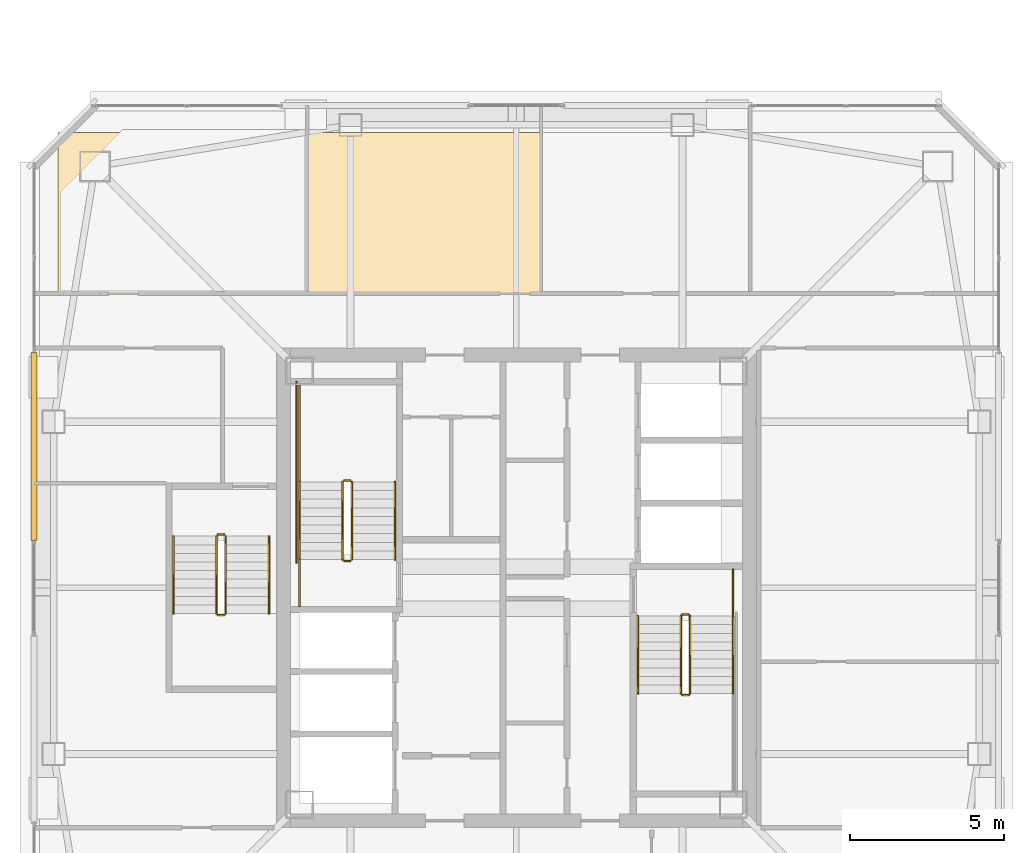
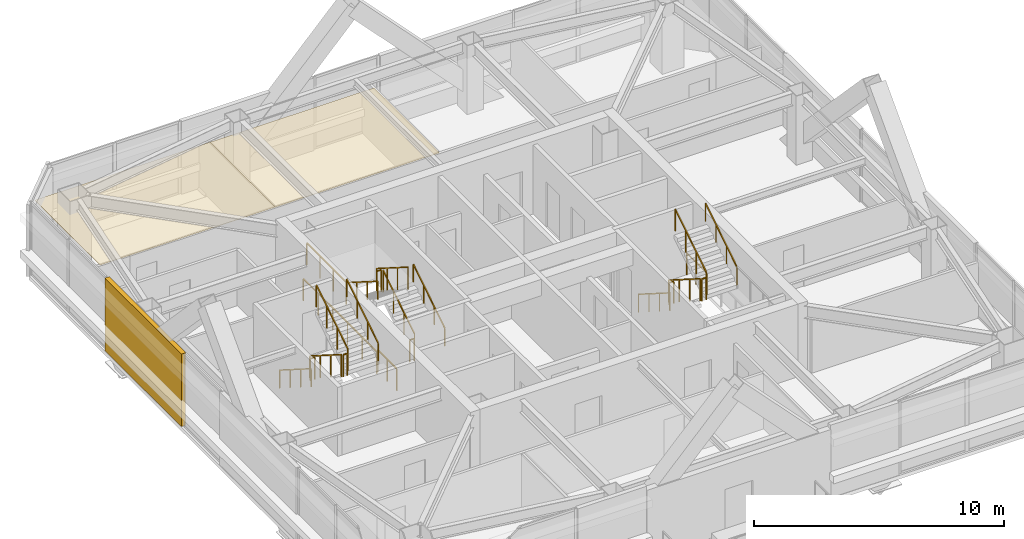
# One storey, part 36 of 39: 22 railings, 3 coverings.
"""IFC4 building model written with IfcOpenShell, lengths in metres."""

from ifc_helpers import new_model, si_unit, direction, frame, origin, origin_2d, place, context, subcontext, project, spatial, polyline, rectangle, outline, extrude, material, layer, layer_set, type_object, element, save


model = new_model("IFC4")

# Units and contexts
model_context = context("Model", 3, precision=1e-05, world=origin(), true_north=direction((0.0, 1.0)))
body_context = subcontext(model_context, "Body", "Model", "MODEL_VIEW")
ifc_project = project(units=[si_unit("LENGTHUNIT", "METRE"), si_unit("AREAUNIT", "SQUARE_METRE"), si_unit("VOLUMEUNIT", "CUBIC_METRE"), si_unit("PLANEANGLEUNIT", "RADIAN"), si_unit("MASSUNIT", "GRAM", prefix="KILO")], contexts=[model_context])

# Site, building, storey
site_placement = place(None, origin())
site = spatial("IfcSite", under=ifc_project, at=site_placement, CompositionType="ELEMENT")
building_placement = place(site_placement, origin())
building = spatial("IfcBuilding", under=site, at=building_placement, Name="Tashvorn Skyway Center", CompositionType="ELEMENT")
storey_placement = place(building_placement, frame((0.0, 0.0, 239.699951171875)))
storey = spatial("IfcBuildingStorey", under=building, at=storey_placement, Name="L65", CompositionType="ELEMENT", Elevation=239.699951171875)

# Coverings
ifc_material_1 = material(Name="Precast concrete C40/50", Category="concrete")
ifc_layer_1 = layer(ifc_material_1, 0.199951171875)
ifc_layer_set_1 = layer_set([ifc_layer_1], Name="Precast concrete C40/50")
covering_type_1 = type_object("IfcCoveringType", Name="COV-BRACE-CLAD", PredefinedType="CLADDING", material=ifc_layer_set_1)
covering_1_placement = place(storey_placement, frame((26.320068359375, 36.59326171875, 0.0), z_axis=(0.0, 0.0, 1.0), x_axis=(0.0, 1.0, 0.0)))
element("IfcCovering", 1, at=covering_1_placement, inside=storey, type_object=covering_type_1, Name="Tower 1 L65 West Unitised Curtain Wall Mega-Brace Cladding Band 2", PredefinedType="CLADDING", context=body_context, shape_type="SweptSolid", body=[
    extrude(rectangle(XDim=6.12451171875, YDim=0.199951171875, at=origin_2d()), origin(), (0.0, 0.0, 1.0), 3.550048828125),
])
ifc_material_2 = material(Name="Mineral-fibre acoustic ceiling tile on suspended grid")
ifc_layer_2 = layer(ifc_material_2, 0.02001953125)
ifc_layer_set_2 = layer_set([ifc_layer_2], Name="Mineral-fibre acoustic ceiling tile on suspended grid")
covering_type_2 = type_object("IfcCoveringType", Name="COV-CEIL-20", PredefinedType="CEILING", material=ifc_layer_set_2)
covering_2_placement = place(storey_placement, frame((0.0, 0.0, 2.703125)))
element("IfcCovering", 2, at=covering_2_placement, inside=storey, type_object=covering_type_2, Name="Tower 1 L65 Gallery Showroom Acoustic Ceiling", PredefinedType="CEILING", context=body_context, shape_type="SweptSolid", body=[
    extrude(outline(polyline([(27.10009765625, 41.570068359375), (35.199951171875, 41.570068359375), (35.199951171875, 46.800048828125), (27.10009765625, 46.800048828125), (27.10009765625, 41.570068359375)])), origin(), (0.0, 0.0, 1.0), 0.02001953125),
])
covering_3_placement = place(storey_placement, frame((0.0, 0.0, 2.703125)))
element("IfcCovering", 3, at=covering_3_placement, inside=storey, type_object=covering_type_2, Name="Tower 1 L65 Gallery Showroom Acoustic Ceiling", PredefinedType="CEILING", context=body_context, shape_type="SweptSolid", body=[
    extrude(outline(polyline([(35.199951171875, 41.570068359375), (42.800048828125, 41.570068359375), (42.800048828125, 46.800048828125), (35.199951171875, 46.800048828125), (35.199951171875, 41.570068359375)])), origin(), (0.0, 0.0, 1.0), 0.02001953125),
])

# Railings
ifc_material_3 = material(Name="Brushed stainless steel 316", Category="steel")
railing_type_1 = type_object("IfcRailingType", Name="RAIL-HAND-920", PredefinedType="HANDRAIL", material=ifc_material_3)
railing_1_placement = place(storey_placement, frame((38.050048828125, 32.919921875, 0.177490234375)))
element("IfcRailing", 4, at=railing_1_placement, inside=storey, type_object=railing_type_1, Name="L65 ST-T1-1 stair handrail 1", PredefinedType="HANDRAIL", context=body_context, shape_type="SweptSolid", body=[
    extrude(rectangle(XDim=0.048095703125, YDim=0.048095703125, at=origin_2d()), frame((0.0, 0.0, 0.8759765625), z_axis=(0.0, 0.84456994832, 0.535445237532), x_axis=(-1.0, 0.0, 0.0)), (0.0, 0.0, 1.0), 2.98388671875),
    extrude(rectangle(XDim=0.0419921875, YDim=0.0419921875, at=origin_2d()), origin(), (0.0, 0.0, 1.0), 0.851806640625),
    extrude(rectangle(XDim=0.0419921875, YDim=0.0419921875, at=origin_2d()), frame((0.0, 0.840087890625, 0.532470703125)), (0.0, 0.0, 1.0), 0.851806640625),
    extrude(rectangle(XDim=0.0419921875, YDim=0.0419921875, at=origin_2d()), frame((0.0, 1.679931640625, 1.065185546875)), (0.0, 0.0, 1.0), 0.851806640625),
    extrude(rectangle(XDim=0.0419921875, YDim=0.0419921875, at=origin_2d()), frame((0.0, 2.52001953125, 1.59765625)), (0.0, 0.0, 1.0), 0.851806640625),
])
railing_2_placement = place(storey_placement, frame((34.949951171875, 35.43994140625, 1.95263671875)))
element("IfcRailing", 5, at=railing_2_placement, inside=storey, type_object=railing_type_1, Name="L65 ST-T1-1 stair handrail 2", PredefinedType="HANDRAIL", context=body_context, shape_type="SweptSolid", body=[
    extrude(rectangle(XDim=0.048095703125, YDim=0.048095703125, at=origin_2d()), frame((0.0, 0.0, 0.8759765625), z_axis=(0.0, -0.84460694969, 0.535386869969), x_axis=(1.0, 0.0, 0.0)), (0.0, 0.0, 1.0), 2.983642578125),
    extrude(rectangle(XDim=0.0419921875, YDim=0.0419921875, at=origin_2d()), origin(), (0.0, 0.0, 1.0), 0.851806640625),
    extrude(rectangle(XDim=0.0419921875, YDim=0.0419921875, at=origin_2d()), frame((0.0, -0.840087890625, 0.532470703125)), (0.0, 0.0, 1.0), 0.851806640625),
    extrude(rectangle(XDim=0.0419921875, YDim=0.0419921875, at=origin_2d()), frame((0.0, -1.679931640625, 1.06494140625)), (0.0, 0.0, 1.0), 0.851806640625),
    extrude(rectangle(XDim=0.0419921875, YDim=0.0419921875, at=origin_2d()), frame((0.0, -2.52001953125, 1.597412109375)), (0.0, 0.0, 1.0), 0.851806640625),
])
railing_3_placement = place(storey_placement, frame((45.949951171875, 31.080078125, 0.177490234375)))
element("IfcRailing", 6, at=railing_3_placement, inside=storey, type_object=railing_type_1, Name="L65 ST-T1-2 stair handrail 1", PredefinedType="HANDRAIL", context=body_context, shape_type="SweptSolid", body=[
    extrude(rectangle(XDim=0.048095703125, YDim=0.048095703125, at=origin_2d()), frame((0.0, 0.0, 0.8759765625), z_axis=(0.0, -0.84456994832, 0.535445237532), x_axis=(1.0, 0.0, 0.0)), (0.0, 0.0, 1.0), 2.98388671875),
    extrude(rectangle(XDim=0.0419921875, YDim=0.0419921875, at=origin_2d()), origin(), (0.0, 0.0, 1.0), 0.851806640625),
    extrude(rectangle(XDim=0.0419921875, YDim=0.0419921875, at=origin_2d()), frame((0.0, -0.840087890625, 0.532470703125)), (0.0, 0.0, 1.0), 0.851806640625),
    extrude(rectangle(XDim=0.0419921875, YDim=0.0419921875, at=origin_2d()), frame((0.0, -1.679931640625, 1.065185546875)), (0.0, 0.0, 1.0), 0.851806640625),
    extrude(rectangle(XDim=0.0419921875, YDim=0.0419921875, at=origin_2d()), frame((0.0, -2.52001953125, 1.59765625)), (0.0, 0.0, 1.0), 0.851806640625),
])
railing_4_placement = place(storey_placement, frame((49.050048828125, 28.56005859375, 1.95263671875)))
element("IfcRailing", 7, at=railing_4_placement, inside=storey, type_object=railing_type_1, Name="L65 ST-T1-2 stair handrail 2", PredefinedType="HANDRAIL", context=body_context, shape_type="SweptSolid", body=[
    extrude(rectangle(XDim=0.048095703125, YDim=0.048095703125, at=origin_2d()), frame((0.0, 0.0, 0.8759765625), z_axis=(0.0, 0.84460694969, 0.535386869969), x_axis=(-1.0, 0.0, 0.0)), (0.0, 0.0, 1.0), 2.983642578125),
    extrude(rectangle(XDim=0.0419921875, YDim=0.0419921875, at=origin_2d()), origin(), (0.0, 0.0, 1.0), 0.851806640625),
    extrude(rectangle(XDim=0.0419921875, YDim=0.0419921875, at=origin_2d()), frame((0.0, 0.840087890625, 0.532470703125)), (0.0, 0.0, 1.0), 0.851806640625),
    extrude(rectangle(XDim=0.0419921875, YDim=0.0419921875, at=origin_2d()), frame((0.0, 1.679931640625, 1.06494140625)), (0.0, 0.0, 1.0), 0.851806640625),
    extrude(rectangle(XDim=0.0419921875, YDim=0.0419921875, at=origin_2d()), frame((0.0, 2.52001953125, 1.597412109375)), (0.0, 0.0, 1.0), 0.851806640625),
])
railing_5_placement = place(storey_placement, frame((30.85009765625, 33.679931640625, 0.177490234375)))
element("IfcRailing", 8, at=railing_5_placement, inside=storey, type_object=railing_type_1, Name="L65 ST-T1-3 stair handrail 1", PredefinedType="HANDRAIL", context=body_context, shape_type="SweptSolid", body=[
    extrude(rectangle(XDim=0.048095703125, YDim=0.048095703125, at=origin_2d()), frame((0.0, 0.0, 0.8759765625), z_axis=(0.0, -0.84456994832, 0.535445237532), x_axis=(1.0, 0.0, 0.0)), (0.0, 0.0, 1.0), 2.98388671875),
    extrude(rectangle(XDim=0.0419921875, YDim=0.0419921875, at=origin_2d()), origin(), (0.0, 0.0, 1.0), 0.851806640625),
    extrude(rectangle(XDim=0.0419921875, YDim=0.0419921875, at=origin_2d()), frame((0.0, -0.840087890625, 0.532470703125)), (0.0, 0.0, 1.0), 0.851806640625),
    extrude(rectangle(XDim=0.0419921875, YDim=0.0419921875, at=origin_2d()), frame((0.0, -1.679931640625, 1.065185546875)), (0.0, 0.0, 1.0), 0.851806640625),
    extrude(rectangle(XDim=0.0419921875, YDim=0.0419921875, at=origin_2d()), frame((0.0, -2.52001953125, 1.59765625)), (0.0, 0.0, 1.0), 0.851806640625),
])
railing_6_placement = place(storey_placement, frame((33.949951171875, 31.159912109375, 1.95263671875)))
element("IfcRailing", 9, at=railing_6_placement, inside=storey, type_object=railing_type_1, Name="L65 ST-T1-3 stair handrail 2", PredefinedType="HANDRAIL", context=body_context, shape_type="SweptSolid", body=[
    extrude(rectangle(XDim=0.048095703125, YDim=0.048095703125, at=origin_2d()), frame((0.0, 0.0, 0.8759765625), z_axis=(0.0, 0.84460694969, 0.535386869969), x_axis=(-1.0, 0.0, 0.0)), (0.0, 0.0, 1.0), 2.983642578125),
    extrude(rectangle(XDim=0.0419921875, YDim=0.0419921875, at=origin_2d()), origin(), (0.0, 0.0, 1.0), 0.851806640625),
    extrude(rectangle(XDim=0.0419921875, YDim=0.0419921875, at=origin_2d()), frame((0.0, 0.840087890625, 0.532470703125)), (0.0, 0.0, 1.0), 0.851806640625),
    extrude(rectangle(XDim=0.0419921875, YDim=0.0419921875, at=origin_2d()), frame((0.0, 1.679931640625, 1.06494140625)), (0.0, 0.0, 1.0), 0.851806640625),
    extrude(rectangle(XDim=0.0419921875, YDim=0.0419921875, at=origin_2d()), frame((0.0, 2.52001953125, 1.597412109375)), (0.0, 0.0, 1.0), 0.851806640625),
])
ifc_material_4 = material(Name="Painted galvanized steel S355", Category="steel")
railing_type_2 = type_object("IfcRailingType", Name="RAIL-STGUARD-1100", PredefinedType="GUARDRAIL", material=ifc_material_4)
railing_7_placement = place(storey_placement, frame((36.64990234375, 32.919921875, 0.177490234375)))
element("IfcRailing", 10, at=railing_7_placement, inside=storey, type_object=railing_type_2, Name="L65 ST-T1-1 stair guard 1", PredefinedType="GUARDRAIL", context=body_context, shape_type="SweptSolid", body=[
    extrude(rectangle(XDim=0.048095703125, YDim=0.048095703125, at=origin_2d()), frame((0.0, 0.0, 1.076171875), z_axis=(0.0, 0.84456994832, 0.535445237532), x_axis=(-1.0, 0.0, 0.0)), (0.0, 0.0, 1.0), 2.98388671875),
    extrude(rectangle(XDim=0.0419921875, YDim=0.0419921875, at=origin_2d()), origin(), (0.0, 0.0, 1.0), 1.052001953125),
    extrude(rectangle(XDim=0.0419921875, YDim=0.0419921875, at=origin_2d()), frame((0.0, 0.840087890625, 0.532470703125)), (0.0, 0.0, 1.0), 1.052001953125),
    extrude(rectangle(XDim=0.0419921875, YDim=0.0419921875, at=origin_2d()), frame((0.0, 1.679931640625, 1.065185546875)), (0.0, 0.0, 1.0), 1.052001953125),
    extrude(rectangle(XDim=0.0419921875, YDim=0.0419921875, at=origin_2d()), frame((0.0, 2.52001953125, 1.59765625)), (0.0, 0.0, 1.0), 1.052001953125),
])
railing_8_placement = place(storey_placement, frame((36.60009765625, 35.489990234375, 1.775146484375)))
element("IfcRailing", 11, at=railing_8_placement, inside=storey, type_object=railing_type_2, Name="L65 ST-T1-1 stair guard 2", PredefinedType="GUARDRAIL", context=body_context, shape_type="SweptSolid", body=[
    extrude(rectangle(XDim=0.048095703125, YDim=0.048095703125, at=origin_2d()), frame((0.0, 0.0, 1.076171875), z_axis=(-1.0, 0.0, 0.0), x_axis=(0.0, -1.0, 0.0)), (0.0, 0.0, 1.0), 0.2001953125),
    extrude(rectangle(XDim=0.0419921875, YDim=0.0419921875, at=origin_2d()), origin(), (0.0, 0.0, 1.0), 1.052001953125),
    extrude(rectangle(XDim=0.0419921875, YDim=0.0419921875, at=origin_2d()), frame((-0.2001953125, 0.0, 0.0)), (0.0, 0.0, 1.0), 1.052001953125),
])
railing_9_placement = place(storey_placement, frame((34.949951171875, 35.43994140625, 1.775146484375)))
element("IfcRailing", 12, at=railing_9_placement, inside=storey, type_object=railing_type_2, Name="L65 ST-T1-1 stair guard 3", PredefinedType="GUARDRAIL", context=body_context, shape_type="SweptSolid", body=[
    extrude(rectangle(XDim=0.048095703125, YDim=0.048095703125, at=origin_2d()), frame((0.0, 0.0, 1.076171875), z_axis=(0.0, 1.0, 0.0), x_axis=(-1.0, 0.0, 0.0)), (0.0, 0.0, 1.0), 3.16015625),
    extrude(rectangle(XDim=0.0419921875, YDim=0.0419921875, at=origin_2d()), origin(), (0.0, 0.0, 1.0), 1.052001953125),
    extrude(rectangle(XDim=0.0419921875, YDim=0.0419921875, at=origin_2d()), frame((0.0, 1.053466796875, 0.0)), (0.0, 0.0, 1.0), 1.052001953125),
    extrude(rectangle(XDim=0.0419921875, YDim=0.0419921875, at=origin_2d()), frame((0.0, 2.106689453125, 0.0)), (0.0, 0.0, 1.0), 1.052001953125),
    extrude(rectangle(XDim=0.0419921875, YDim=0.0419921875, at=origin_2d()), frame((0.0, 3.16015625, 0.0)), (0.0, 0.0, 1.0), 1.052001953125),
])
railing_10_placement = place(storey_placement, frame((36.35009765625, 35.43994140625, 1.95263671875)))
element("IfcRailing", 13, at=railing_10_placement, inside=storey, type_object=railing_type_2, Name="L65 ST-T1-1 stair guard 4", PredefinedType="GUARDRAIL", context=body_context, shape_type="SweptSolid", body=[
    extrude(rectangle(XDim=0.048095703125, YDim=0.048095703125, at=origin_2d()), frame((0.0, 0.0, 1.076171875), z_axis=(0.0, -0.84460694969, 0.535386869969), x_axis=(1.0, 0.0, 0.0)), (0.0, 0.0, 1.0), 2.983642578125),
    extrude(rectangle(XDim=0.0419921875, YDim=0.0419921875, at=origin_2d()), origin(), (0.0, 0.0, 1.0), 1.052001953125),
    extrude(rectangle(XDim=0.0419921875, YDim=0.0419921875, at=origin_2d()), frame((0.0, -0.840087890625, 0.532470703125)), (0.0, 0.0, 1.0), 1.052001953125),
    extrude(rectangle(XDim=0.0419921875, YDim=0.0419921875, at=origin_2d()), frame((0.0, -1.679931640625, 1.06494140625)), (0.0, 0.0, 1.0), 1.052001953125),
    extrude(rectangle(XDim=0.0419921875, YDim=0.0419921875, at=origin_2d()), frame((0.0, -2.52001953125, 1.597412109375)), (0.0, 0.0, 1.0), 1.052001953125),
])
railing_11_placement = place(storey_placement, frame((36.60009765625, 32.8701171875, 0.0)))
element("IfcRailing", 14, at=railing_11_placement, inside=storey, type_object=railing_type_2, Name="L65 ST-T1-1 stair guard 5", PredefinedType="GUARDRAIL", context=body_context, shape_type="SweptSolid", body=[
    extrude(rectangle(XDim=0.048095703125, YDim=0.048095703125, at=origin_2d()), frame((0.0, 0.0, 1.076171875), z_axis=(-1.0, 0.0, 0.0), x_axis=(0.0, -1.0, 0.0)), (0.0, 0.0, 1.0), 0.2001953125),
    extrude(rectangle(XDim=0.0419921875, YDim=0.0419921875, at=origin_2d()), origin(), (0.0, 0.0, 1.0), 1.052001953125),
    extrude(rectangle(XDim=0.0419921875, YDim=0.0419921875, at=origin_2d()), frame((-0.2001953125, 0.0, 0.0)), (0.0, 0.0, 1.0), 1.052001953125),
])
railing_12_placement = place(storey_placement, frame((34.949951171875, 31.39990234375, 0.0)))
element("IfcRailing", 15, at=railing_12_placement, inside=storey, type_object=railing_type_2, Name="L65 ST-T1-1 stair guard 6", PredefinedType="GUARDRAIL", context=body_context, shape_type="SweptSolid", body=[
    extrude(rectangle(XDim=0.048095703125, YDim=0.048095703125, at=origin_2d()), frame((0.0, 0.0, 1.076171875), z_axis=(0.0, 1.0, 0.0), x_axis=(-1.0, 0.0, 0.0)), (0.0, 0.0, 1.0), 1.52001953125),
    extrude(rectangle(XDim=0.0419921875, YDim=0.0419921875, at=origin_2d()), origin(), (0.0, 0.0, 1.0), 1.052001953125),
    extrude(rectangle(XDim=0.0419921875, YDim=0.0419921875, at=origin_2d()), frame((0.0, 0.760009765625, 0.0)), (0.0, 0.0, 1.0), 1.052001953125),
    extrude(rectangle(XDim=0.0419921875, YDim=0.0419921875, at=origin_2d()), frame((0.0, 1.52001953125, 0.0)), (0.0, 0.0, 1.0), 1.052001953125),
])
railing_13_placement = place(storey_placement, frame((34.85009765625, 32.820068359375, 0.0)))
element("IfcRailing", 16, at=railing_13_placement, inside=storey, type_object=railing_type_2, Name="L65 ST-T1-1 stair guard 7", PredefinedType="GUARDRAIL", context=body_context, shape_type="SweptSolid", body=[
    extrude(rectangle(XDim=0.048095703125, YDim=0.048095703125, at=origin_2d()), frame((0.0, 0.0, 1.076171875), z_axis=(0.0, 1.0, 0.0), x_axis=(-1.0, 0.0, 0.0)), (0.0, 0.0, 1.0), 5.8798828125),
    extrude(rectangle(XDim=0.0419921875, YDim=0.0419921875, at=origin_2d()), origin(), (0.0, 0.0, 1.0), 1.052001953125),
    extrude(rectangle(XDim=0.0419921875, YDim=0.0419921875, at=origin_2d()), frame((0.0, 1.176025390625, 0.0)), (0.0, 0.0, 1.0), 1.052001953125),
    extrude(rectangle(XDim=0.0419921875, YDim=0.0419921875, at=origin_2d()), frame((0.0, 2.35205078125, 0.0)), (0.0, 0.0, 1.0), 1.052001953125),
    extrude(rectangle(XDim=0.0419921875, YDim=0.0419921875, at=origin_2d()), frame((0.0, 3.52783203125, 0.0)), (0.0, 0.0, 1.0), 1.052001953125),
    extrude(rectangle(XDim=0.0419921875, YDim=0.0419921875, at=origin_2d()), frame((0.0, 4.703857421875, 0.0)), (0.0, 0.0, 1.0), 1.052001953125),
    extrude(rectangle(XDim=0.0419921875, YDim=0.0419921875, at=origin_2d()), frame((0.0, 5.8798828125, 0.0)), (0.0, 0.0, 1.0), 1.052001953125),
])
railing_14_placement = place(storey_placement, frame((47.35009765625, 31.080078125, 0.177490234375)))
element("IfcRailing", 17, at=railing_14_placement, inside=storey, type_object=railing_type_2, Name="L65 ST-T1-2 stair guard 1", PredefinedType="GUARDRAIL", context=body_context, shape_type="SweptSolid", body=[
    extrude(rectangle(XDim=0.048095703125, YDim=0.048095703125, at=origin_2d()), frame((0.0, 0.0, 1.076171875), z_axis=(0.0, -0.84456994832, 0.535445237532), x_axis=(1.0, 0.0, 0.0)), (0.0, 0.0, 1.0), 2.98388671875),
    extrude(rectangle(XDim=0.0419921875, YDim=0.0419921875, at=origin_2d()), origin(), (0.0, 0.0, 1.0), 1.052001953125),
    extrude(rectangle(XDim=0.0419921875, YDim=0.0419921875, at=origin_2d()), frame((0.0, -0.840087890625, 0.532470703125)), (0.0, 0.0, 1.0), 1.052001953125),
    extrude(rectangle(XDim=0.0419921875, YDim=0.0419921875, at=origin_2d()), frame((0.0, -1.679931640625, 1.065185546875)), (0.0, 0.0, 1.0), 1.052001953125),
    extrude(rectangle(XDim=0.0419921875, YDim=0.0419921875, at=origin_2d()), frame((0.0, -2.52001953125, 1.59765625)), (0.0, 0.0, 1.0), 1.052001953125),
])
railing_15_placement = place(storey_placement, frame((47.39990234375, 28.510009765625, 1.775146484375)))
element("IfcRailing", 18, at=railing_15_placement, inside=storey, type_object=railing_type_2, Name="L65 ST-T1-2 stair guard 2", PredefinedType="GUARDRAIL", context=body_context, shape_type="SweptSolid", body=[
    extrude(rectangle(XDim=0.048095703125, YDim=0.048095703125, at=origin_2d()), frame((0.0, 0.0, 1.076171875), z_axis=(1.0, 0.0, 0.0), x_axis=(0.0, 1.0, 0.0)), (0.0, 0.0, 1.0), 0.2001953125),
    extrude(rectangle(XDim=0.0419921875, YDim=0.0419921875, at=origin_2d()), origin(), (0.0, 0.0, 1.0), 1.052001953125),
    extrude(rectangle(XDim=0.0419921875, YDim=0.0419921875, at=origin_2d()), frame((0.2001953125, 0.0, 0.0)), (0.0, 0.0, 1.0), 1.052001953125),
])
railing_16_placement = place(storey_placement, frame((47.64990234375, 28.56005859375, 1.95263671875)))
element("IfcRailing", 19, at=railing_16_placement, inside=storey, type_object=railing_type_2, Name="L65 ST-T1-2 stair guard 4", PredefinedType="GUARDRAIL", context=body_context, shape_type="SweptSolid", body=[
    extrude(rectangle(XDim=0.048095703125, YDim=0.048095703125, at=origin_2d()), frame((0.0, 0.0, 1.076171875), z_axis=(0.0, 0.84460694969, 0.535386869969), x_axis=(-1.0, 0.0, 0.0)), (0.0, 0.0, 1.0), 2.983642578125),
    extrude(rectangle(XDim=0.0419921875, YDim=0.0419921875, at=origin_2d()), origin(), (0.0, 0.0, 1.0), 1.052001953125),
    extrude(rectangle(XDim=0.0419921875, YDim=0.0419921875, at=origin_2d()), frame((0.0, 0.840087890625, 0.532470703125)), (0.0, 0.0, 1.0), 1.052001953125),
    extrude(rectangle(XDim=0.0419921875, YDim=0.0419921875, at=origin_2d()), frame((0.0, 1.679931640625, 1.06494140625)), (0.0, 0.0, 1.0), 1.052001953125),
    extrude(rectangle(XDim=0.0419921875, YDim=0.0419921875, at=origin_2d()), frame((0.0, 2.52001953125, 1.597412109375)), (0.0, 0.0, 1.0), 1.052001953125),
])
railing_17_placement = place(storey_placement, frame((47.39990234375, 31.1298828125, 0.0)))
element("IfcRailing", 20, at=railing_17_placement, inside=storey, type_object=railing_type_2, Name="L65 ST-T1-2 stair guard 5", PredefinedType="GUARDRAIL", context=body_context, shape_type="SweptSolid", body=[
    extrude(rectangle(XDim=0.048095703125, YDim=0.048095703125, at=origin_2d()), frame((0.0, 0.0, 1.076171875), z_axis=(1.0, 0.0, 0.0), x_axis=(0.0, 1.0, 0.0)), (0.0, 0.0, 1.0), 0.2001953125),
    extrude(rectangle(XDim=0.0419921875, YDim=0.0419921875, at=origin_2d()), origin(), (0.0, 0.0, 1.0), 1.052001953125),
    extrude(rectangle(XDim=0.0419921875, YDim=0.0419921875, at=origin_2d()), frame((0.2001953125, 0.0, 0.0)), (0.0, 0.0, 1.0), 1.052001953125),
])
railing_18_placement = place(storey_placement, frame((49.050048828125, 32.60009765625, 0.0)))
element("IfcRailing", 21, at=railing_18_placement, inside=storey, type_object=railing_type_2, Name="L65 ST-T1-2 stair guard 6", PredefinedType="GUARDRAIL", context=body_context, shape_type="SweptSolid", body=[
    extrude(rectangle(XDim=0.048095703125, YDim=0.048095703125, at=origin_2d()), frame((0.0, 0.0, 1.076171875), z_axis=(0.0, -1.0, 0.0), x_axis=(1.0, 0.0, 0.0)), (0.0, 0.0, 1.0), 1.52001953125),
    extrude(rectangle(XDim=0.0419921875, YDim=0.0419921875, at=origin_2d()), origin(), (0.0, 0.0, 1.0), 1.052001953125),
    extrude(rectangle(XDim=0.0419921875, YDim=0.0419921875, at=origin_2d()), frame((0.0, -0.760009765625, 0.0)), (0.0, 0.0, 1.0), 1.052001953125),
    extrude(rectangle(XDim=0.0419921875, YDim=0.0419921875, at=origin_2d()), frame((0.0, -1.52001953125, 0.0)), (0.0, 0.0, 1.0), 1.052001953125),
])
railing_19_placement = place(storey_placement, frame((32.25, 33.679931640625, 0.177490234375)))
element("IfcRailing", 22, at=railing_19_placement, inside=storey, type_object=railing_type_2, Name="L65 ST-T1-3 stair guard 1", PredefinedType="GUARDRAIL", context=body_context, shape_type="SweptSolid", body=[
    extrude(rectangle(XDim=0.048095703125, YDim=0.048095703125, at=origin_2d()), frame((0.0, 0.0, 1.076171875), z_axis=(0.0, -0.84456994832, 0.535445237532), x_axis=(1.0, 0.0, 0.0)), (0.0, 0.0, 1.0), 2.98388671875),
    extrude(rectangle(XDim=0.0419921875, YDim=0.0419921875, at=origin_2d()), origin(), (0.0, 0.0, 1.0), 1.052001953125),
    extrude(rectangle(XDim=0.0419921875, YDim=0.0419921875, at=origin_2d()), frame((0.0, -0.840087890625, 0.532470703125)), (0.0, 0.0, 1.0), 1.052001953125),
    extrude(rectangle(XDim=0.0419921875, YDim=0.0419921875, at=origin_2d()), frame((0.0, -1.679931640625, 1.065185546875)), (0.0, 0.0, 1.0), 1.052001953125),
    extrude(rectangle(XDim=0.0419921875, YDim=0.0419921875, at=origin_2d()), frame((0.0, -2.52001953125, 1.59765625)), (0.0, 0.0, 1.0), 1.052001953125),
])
railing_20_placement = place(storey_placement, frame((32.300048828125, 31.110107421875, 1.775146484375)))
element("IfcRailing", 23, at=railing_20_placement, inside=storey, type_object=railing_type_2, Name="L65 ST-T1-3 stair guard 2", PredefinedType="GUARDRAIL", context=body_context, shape_type="SweptSolid", body=[
    extrude(rectangle(XDim=0.048095703125, YDim=0.048095703125, at=origin_2d()), frame((0.0, 0.0, 1.076171875), z_axis=(1.0, 0.0, 0.0), x_axis=(0.0, 1.0, 0.0)), (0.0, 0.0, 1.0), 0.199951171875),
    extrude(rectangle(XDim=0.0419921875, YDim=0.0419921875, at=origin_2d()), origin(), (0.0, 0.0, 1.0), 1.052001953125),
    extrude(rectangle(XDim=0.0419921875, YDim=0.0419921875, at=origin_2d()), frame((0.199951171875, 0.0, 0.0)), (0.0, 0.0, 1.0), 1.052001953125),
])
railing_21_placement = place(storey_placement, frame((32.550048828125, 31.159912109375, 1.95263671875)))
element("IfcRailing", 24, at=railing_21_placement, inside=storey, type_object=railing_type_2, Name="L65 ST-T1-3 stair guard 3", PredefinedType="GUARDRAIL", context=body_context, shape_type="SweptSolid", body=[
    extrude(rectangle(XDim=0.048095703125, YDim=0.048095703125, at=origin_2d()), frame((0.0, 0.0, 1.076171875), z_axis=(0.0, 0.84460694969, 0.535386869969), x_axis=(-1.0, 0.0, 0.0)), (0.0, 0.0, 1.0), 2.983642578125),
    extrude(rectangle(XDim=0.0419921875, YDim=0.0419921875, at=origin_2d()), origin(), (0.0, 0.0, 1.0), 1.052001953125),
    extrude(rectangle(XDim=0.0419921875, YDim=0.0419921875, at=origin_2d()), frame((0.0, 0.840087890625, 0.532470703125)), (0.0, 0.0, 1.0), 1.052001953125),
    extrude(rectangle(XDim=0.0419921875, YDim=0.0419921875, at=origin_2d()), frame((0.0, 1.679931640625, 1.06494140625)), (0.0, 0.0, 1.0), 1.052001953125),
    extrude(rectangle(XDim=0.0419921875, YDim=0.0419921875, at=origin_2d()), frame((0.0, 2.52001953125, 1.597412109375)), (0.0, 0.0, 1.0), 1.052001953125),
])
railing_22_placement = place(storey_placement, frame((32.300048828125, 33.72998046875, 0.0)))
element("IfcRailing", 25, at=railing_22_placement, inside=storey, type_object=railing_type_2, Name="L65 ST-T1-3 stair guard 4", PredefinedType="GUARDRAIL", context=body_context, shape_type="SweptSolid", body=[
    extrude(rectangle(XDim=0.048095703125, YDim=0.048095703125, at=origin_2d()), frame((0.0, 0.0, 1.076171875), z_axis=(1.0, 0.0, 0.0), x_axis=(0.0, 1.0, 0.0)), (0.0, 0.0, 1.0), 0.199951171875),
    extrude(rectangle(XDim=0.0419921875, YDim=0.0419921875, at=origin_2d()), origin(), (0.0, 0.0, 1.0), 1.052001953125),
    extrude(rectangle(XDim=0.0419921875, YDim=0.0419921875, at=origin_2d()), frame((0.199951171875, 0.0, 0.0)), (0.0, 0.0, 1.0), 1.052001953125),
])

save(model, "model.ifc")
